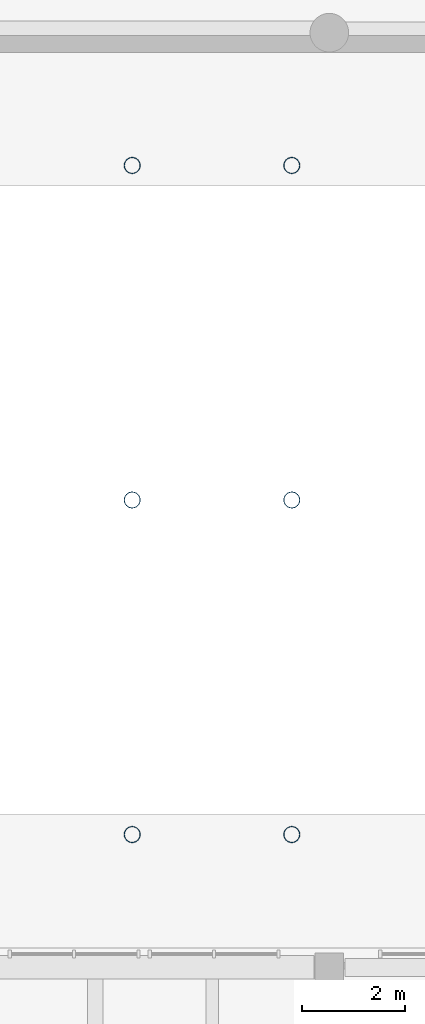
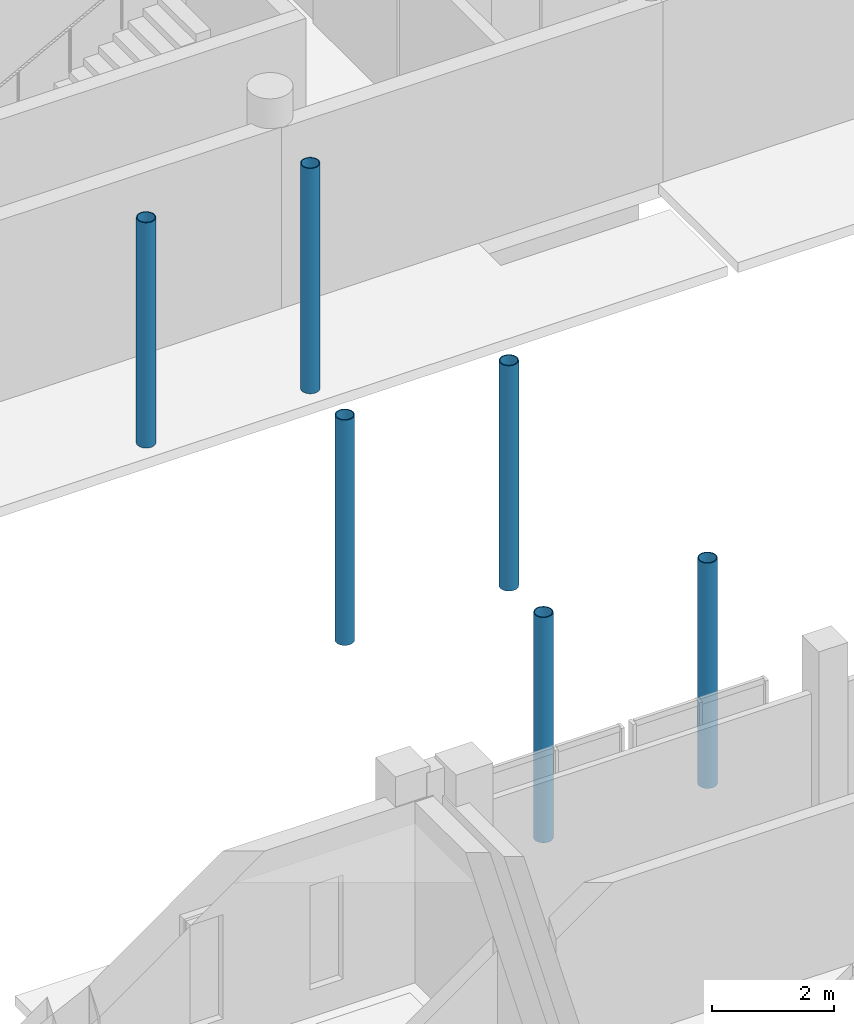
# One storey, part 2 of 77: 6 columns.
"""IFC4 building model written with IfcOpenShell, lengths in metres."""

from ifc_helpers import new_model, si_unit, direction, frame, origin, origin_2d, place, context, subcontext, project, spatial, hollow_circle, extrude, material, material_profile, profile_set, type_object, element, save


model = new_model("IFC4")

# Units and contexts
model_context = context("Model", 3, precision=1e-05, world=origin(), true_north=direction((0.0, 1.0)))
body_context = subcontext(model_context, "Body", "Model", "MODEL_VIEW")
ifc_project = project(units=[si_unit("LENGTHUNIT", "METRE"), si_unit("AREAUNIT", "SQUARE_METRE"), si_unit("VOLUMEUNIT", "CUBIC_METRE"), si_unit("PLANEANGLEUNIT", "RADIAN"), si_unit("MASSUNIT", "GRAM", prefix="KILO")], contexts=[model_context])

# Site, building, storey
site_placement = place(None, origin())
site = spatial("IfcSite", under=ifc_project, at=site_placement, CompositionType="ELEMENT")
building_placement = place(site_placement, origin())
building = spatial("IfcBuilding", under=site, at=building_placement, Name="Vardoun Plaza Health Centre", CompositionType="ELEMENT")
storey_placement = place(building_placement, origin())
storey = spatial("IfcBuildingStorey", under=building, at=storey_placement, Name="L00", CompositionType="ELEMENT", Elevation=0.0)

# Columns
ifc_material = material(Name="Steel S355J2H", Category="steel")
ifc_material_profile = material_profile(ifc_material, hollow_circle(Radius=0.161865234375, WallThickness=0.01611328125, at=origin_2d()), Name="CHS 323.9x16.0")
ifc_profile_set = profile_set([ifc_material_profile], Name="Steel S355J2H")
column_type = type_object("IfcColumnType", Name="C-20", PredefinedType="COLUMN", material=ifc_profile_set)
for number, where, z_axis, x_axis, name in (
    (1, (51.25, 21.10009765625, 0.0), (0.0, 0.0, 1.0), (1.0, 0.0, 0.0), "Bridge BR-06 Court Pier W.1 (L00)"),
    (2, (51.25, 27.60009765625, 0.0), (0.0, 0.0, 1.0), (1.0, 0.0, 0.0), "Bridge BR-06 Court Pier W.2 (L00)"),
    (3, (51.25, 34.10009765625, 0.0), (0.0, 0.0, 1.0), (1.0, 0.0, 0.0), "Bridge BR-06 Court Pier W.3 (L00)"),
    (4, (54.35009765625, 21.10009765625, 0.0), (0.0, 0.0, 1.0), (1.0, 0.0, 0.0), "Bridge BR-06 Court Pier E.1 (L00)"),
    (5, (54.35009765625, 27.60009765625, 0.0), (0.0, 0.0, 1.0), (1.0, 0.0, 0.0), "Bridge BR-06 Court Pier E.2 (L00)"),
    (6, (54.35009765625, 34.10009765625, 0.0), (0.0, 0.0, 1.0), (1.0, 0.0, 0.0), "Bridge BR-06 Court Pier E.3 (L00)"),
):
    element("IfcColumn", number, at=place(storey_placement, frame(where, z_axis=z_axis, x_axis=x_axis)), inside=storey, type_object=column_type, Name=name, PredefinedType="COLUMN", context=body_context, shape_type="SweptSolid", body=[
        extrude(hollow_circle(Radius=0.161865234375, WallThickness=0.01611328125, at=origin_2d()), origin(), (0.0, 0.0, 1.0), 4.5),
    ])

save(model, "model.ifc")
